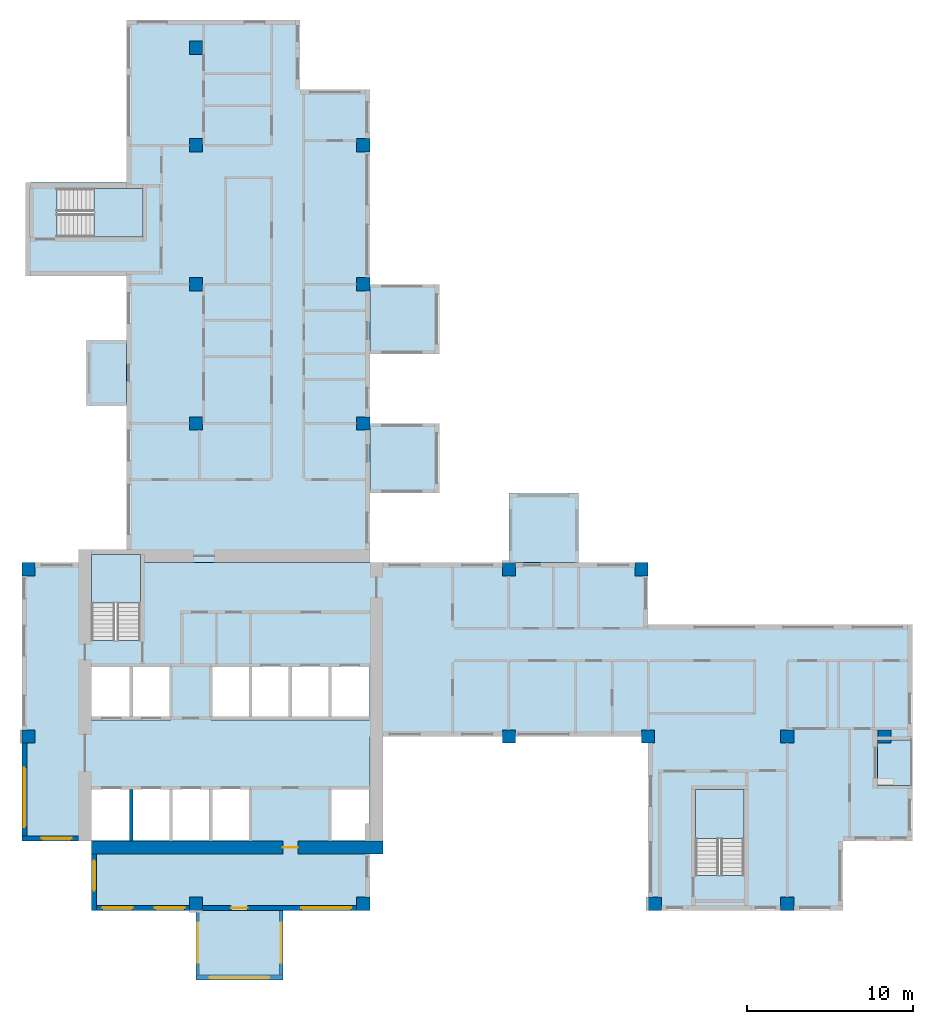
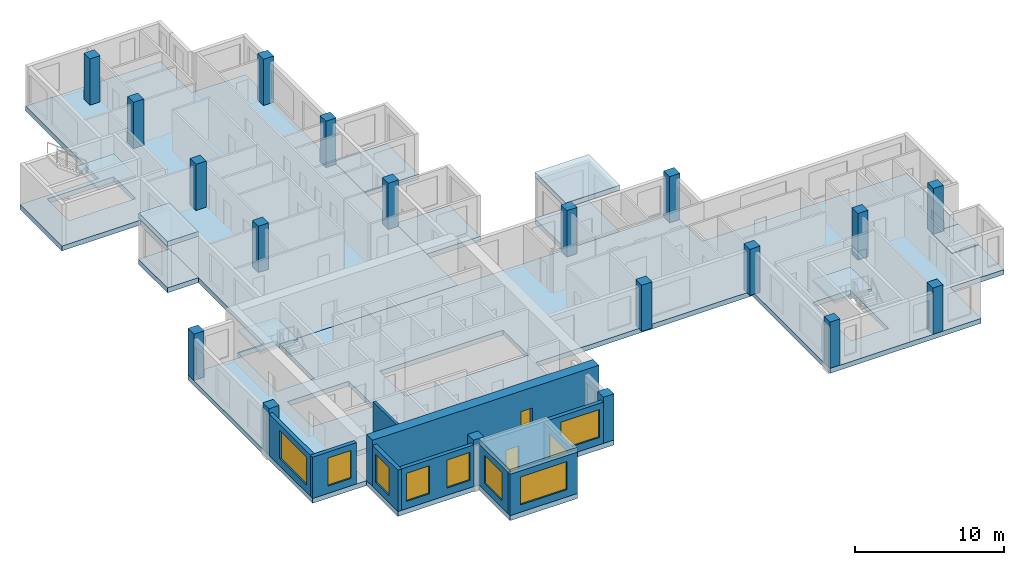
# One storey, part 1 of 11: 19 columns, 14 slabs, 10 walls, 9 windows, 2 doors, 11 openings, 3 elements without a shape of their own.
"""IFC4 building model written with IfcOpenShell, lengths in metres."""

from ifc_helpers import new_model, si_unit, direction, frame, frame_2d, origin, origin_2d, place, context, subcontext, project, spatial, polyline, rectangle, outline, extrude, source, transform, mapped, material, layer, layer_set, material_profile, profile_set, type_object, element, fill, aggregate, save


model = new_model("IFC4")

# Units and contexts
model_context = context("Model", 3, precision=1e-05, world=origin(), true_north=direction((0.0, 1.0)))
body_context = subcontext(model_context, "Body", "Model", "MODEL_VIEW")
ifc_project = project(units=[si_unit("LENGTHUNIT", "METRE"), si_unit("AREAUNIT", "SQUARE_METRE"), si_unit("VOLUMEUNIT", "CUBIC_METRE"), si_unit("PLANEANGLEUNIT", "RADIAN"), si_unit("MASSUNIT", "GRAM", prefix="KILO")], contexts=[model_context])

# Site, building, storey
site_placement = place(None, origin())
site = spatial("IfcSite", under=ifc_project, at=site_placement, CompositionType="ELEMENT")
building_placement = place(site_placement, origin())
building = spatial("IfcBuilding", under=site, at=building_placement, Name="Aurelian Terraces", CompositionType="ELEMENT")
storey_placement = place(building_placement, frame((0.0, 0.0, 257.6)))
storey = spatial("IfcBuildingStorey", under=building, at=storey_placement, Name="L59", CompositionType="ELEMENT", Elevation=257.6)

# Columns
ifc_material_1 = material(Name="Concrete fc' 70 MPa", Category="concrete")
ifc_material_profile = material_profile(ifc_material_1, rectangle(XDim=0.8, YDim=0.8, at=origin_2d()))
ifc_profile_set = profile_set([ifc_material_profile], Name="Concrete fc' 70 MPa")
column_type = type_object("IfcColumnType", Name="RC COLUMN 800X800 FC70", PredefinedType="COLUMN", material=ifc_profile_set)
shared_shape_1 = source(origin(), body_context, "Body", "SweptSolid", [
    extrude(rectangle(XDim=0.8, YDim=0.8, at=origin_2d()), origin(), (0.0, 0.0, 1.0), 3.8),
])
for number, where, z_axis, x_axis, name in (
    (1, (10.5, 0.4, 0.0), (0.0, 0.0, 1.0), (1.0, 0.0, 0.0), "Column 2/A L59"),
    (2, (20.6, 0.4, 0.0), (0.0, 0.0, 1.0), (1.0, 0.0, 0.0), "Column 3/A L59"),
    (3, (38.2, 0.4, 0.0), (0.0, 0.0, 1.0), (1.0, 0.0, 0.0), "Column 5/A L59"),
    (4, (46.2, 0.4, 0.0), (0.0, 0.0, 1.0), (1.0, 0.0, 0.0), "Column 6/A L59"),
    (5, (0.4, 10.5, 0.0), (0.0, 0.0, 1.0), (1.0, 0.0, 0.0), "Column 1/B L59"),
    (6, (29.4, 10.5, 0.0), (0.0, 0.0, 1.0), (1.0, 0.0, 0.0), "Column 4/B L59"),
    (7, (37.8, 10.5, 0.0), (0.0, 0.0, 1.0), (1.0, 0.0, 0.0), "Column 5/B L59"),
    (8, (46.2, 10.5, 0.0), (0.0, 0.0, 1.0), (1.0, 0.0, 0.0), "Column 6/B L59"),
    (9, (52.08, 10.5, 0.0), (0.0, 0.0, 1.0), (1.0, 0.0, 0.0), "Column 7/B L59"),
    (10, (0.4, 20.6, 0.0), (0.0, 0.0, 1.0), (1.0, 0.0, 0.0), "Column 1/C L59"),
    (11, (29.4, 20.6, 0.0), (0.0, 0.0, 1.0), (1.0, 0.0, 0.0), "Column 4/C L59"),
    (12, (37.4, 20.6, 0.0), (0.0, 0.0, 1.0), (1.0, 0.0, 0.0), "Column 5/C L59"),
    (13, (10.5, 29.4, 0.0), (0.0, 0.0, 1.0), (1.0, 0.0, 0.0), "Column 2/D L59"),
    (14, (20.6, 29.4, 0.0), (0.0, 0.0, 1.0), (1.0, 0.0, 0.0), "Column 3/D L59"),
    (15, (10.5, 37.8, 0.0), (0.0, 0.0, 1.0), (1.0, 0.0, 0.0), "Column 2/E L59"),
    (16, (20.6, 37.8, 0.0), (0.0, 0.0, 1.0), (1.0, 0.0, 0.0), "Column 3/E L59"),
    (17, (10.5, 46.2, 0.0), (0.0, 0.0, 1.0), (1.0, 0.0, 0.0), "Column 2/F L59"),
    (18, (20.6, 46.2, 0.0), (0.0, 0.0, 1.0), (1.0, 0.0, 0.0), "Column 3/F L59"),
    (19, (10.5, 52.08, 0.0), (0.0, 0.0, 1.0), (1.0, 0.0, 0.0), "Column 2/G L59"),
):
    element("IfcColumn", number, at=place(storey_placement, frame(where, z_axis=z_axis, x_axis=x_axis)), inside=storey, type_object=column_type, Name=name, PredefinedType="COLUMN", context=body_context, shape_type="MappedRepresentation", body=[
        mapped(shared_shape_1, transform((0.0, 0.0, 0.0), scale=1.0)),
    ])

# Slabs
ifc_material_2 = material(Name="Concrete fc' 40 MPa", Category="concrete")
ifc_layer_1 = layer(ifc_material_2, 0.4)
ifc_layer_set_1 = layer_set([ifc_layer_1], Name="PT FLAT PLATE 400")
slab_type_1 = type_object("IfcSlabType", Name="PT FLAT PLATE 400", PredefinedType="FLOOR", material=ifc_layer_set_1)
shared_shape_2 = source(origin(), body_context, "Body", "SweptSolid", [
    extrude(outline(polyline([(0.2, 43.95), (6.3, 43.95), (6.3, 49.56), (6.3, 53.76), (10.5, 53.76), (16.8, 53.76), (16.8, 49.56), (21.0, 49.56), (21.0, 21.0), (7.14, 21.0), (7.14, 21.49), (4.21, 21.49), (4.21, 21.0), (4.2, 21.0), (4.2, 21.6), (6.3, 21.6), (6.3, 38.3), (0.2, 38.3), (0.2, 43.95)]), holes=[polyline([(7.29, 43.59), (2.11, 43.59), (2.11, 40.66), (7.29, 40.66), (7.29, 43.59)])]), origin(), (0.0, 0.0, 1.0), 0.4),
])
slab_1_placement = place(storey_placement, frame((0.0, 0.0, -0.4)))
element("IfcSlab", 20, at=slab_1_placement, inside=storey, type_object=slab_type_1, Name="Floor slab W L59", PredefinedType="FLOOR", context=body_context, shape_type="MappedRepresentation", body=[
    mapped(shared_shape_2, transform((0.0, 0.0, 0.0), scale=1.0)),
])
shared_shape_3 = source(origin(), body_context, "Body", "SweptSolid", [
    extrude(outline(polyline([(49.56, 4.2), (49.56, 0.0), (37.8, 0.0), (37.8, 10.5), (21.0, 10.5), (21.0, 0.0), (4.2, 0.0), (4.2, 4.2), (0.0, 4.2), (0.0, 21.0), (4.21, 21.0), (4.21, 16.31), (7.14, 16.31), (7.14, 21.0), (21.0, 21.0), (37.8, 21.0), (37.8, 17.25), (49.56, 17.25), (53.76, 17.25), (53.76, 16.8), (53.76, 16.65), (53.76, 4.2), (49.56, 4.2)]), holes=[polyline([(40.66, 2.11), (43.59, 2.11), (43.59, 7.29), (40.66, 7.29), (40.66, 2.11)]), polyline([(18.61, 7.49), (18.61, 4.21), (20.99, 4.21), (20.99, 7.49), (18.61, 7.49)]), polyline([(20.99, 14.89), (11.41, 14.89), (11.41, 11.51), (20.99, 11.51), (20.99, 14.89)]), polyline([(4.21, 7.49), (4.21, 4.21), (13.79, 4.21), (13.79, 7.49), (4.21, 7.49)]), polyline([(4.21, 14.89), (4.21, 11.51), (8.99, 11.51), (8.99, 14.89), (4.21, 14.89)])]), origin(), (0.0, 0.0, 1.0), 0.4),
])
slab_2_placement = place(storey_placement, frame((0.0, 0.0, -0.4)))
element("IfcSlab", 21, at=slab_2_placement, inside=storey, type_object=slab_type_1, Name="Floor slab S L59", PredefinedType="FLOOR", context=body_context, shape_type="MappedRepresentation", body=[
    mapped(shared_shape_3, transform((0.0, 0.0, 0.0), scale=1.0)),
])
ifc_layer_2 = layer(ifc_material_2, 0.41)
ifc_layer_set_2 = layer_set([ifc_layer_2], Name="Box floor 410")
slab_type_2 = type_object("IfcSlabType", Name="Box floor 410", PredefinedType="NOTDEFINED", material=ifc_layer_set_2)
shared_shape_4 = source(origin(), body_context, "Body", "SweptSolid", [
    extrude(outline(polyline([(25.2, 25.2), (25.2, 29.4), (21.0, 29.4), (21.0, 25.2), (25.2, 25.2)])), origin(), (0.0, 0.0, 1.0), 0.41),
])
slab_3_placement = place(storey_placement, frame((0.0, 0.0, -0.41)))
element("IfcSlab", 22, at=slab_3_placement, inside=storey, type_object=slab_type_2, Name="Box floor L59 J86", PredefinedType="NOTDEFINED", context=body_context, shape_type="MappedRepresentation", body=[
    mapped(shared_shape_4, transform((0.0, 0.0, 0.0), scale=1.0)),
])
shared_shape_5 = source(origin(), body_context, "Body", "SweptSolid", [
    extrude(outline(polyline([(25.2, 33.6), (25.2, 37.8), (21.0, 37.8), (21.0, 33.6), (25.2, 33.6)])), origin(), (0.0, 0.0, 1.0), 0.41),
])
slab_4_placement = place(storey_placement, frame((0.0, 0.0, -0.41)))
element("IfcSlab", 23, at=slab_4_placement, inside=storey, type_object=slab_type_2, Name="Box floor L59 J87", PredefinedType="NOTDEFINED", context=body_context, shape_type="MappedRepresentation", body=[
    mapped(shared_shape_5, transform((0.0, 0.0, 0.0), scale=1.0)),
])
shared_shape_6 = source(origin(), body_context, "Body", "SweptSolid", [
    extrude(outline(polyline([(3.9, 34.4), (3.9, 30.5), (6.3, 30.5), (6.3, 34.4), (3.9, 34.4)])), origin(), (0.0, 0.0, 1.0), 0.41),
])
slab_5_placement = place(storey_placement, frame((0.0, 0.0, -0.41)))
element("IfcSlab", 24, at=slab_5_placement, inside=storey, type_object=slab_type_2, Name="Box floor L59 J85", PredefinedType="NOTDEFINED", context=body_context, shape_type="MappedRepresentation", body=[
    mapped(shared_shape_6, transform((0.0, 0.0, 0.0), scale=1.0)),
])
ifc_layer_3 = layer(ifc_material_2, 0.4)
ifc_layer_set_3 = layer_set([ifc_layer_3], Name="Box roof 400")
slab_type_3 = type_object("IfcSlabType", Name="Box roof 400", PredefinedType="ROOF", material=ifc_layer_set_3)
shared_shape_7 = source(origin(), body_context, "Body", "SweptSolid", [
    extrude(outline(polyline([(3.9, 34.4), (3.9, 30.5), (6.3, 30.5), (6.3, 34.4), (3.9, 34.4)])), origin(), (0.0, 0.0, 1.0), 0.4),
])
slab_6_placement = place(storey_placement, frame((0.0, 0.0, 3.4)))
element("IfcSlab", 25, at=slab_6_placement, inside=storey, type_object=slab_type_3, Name="Box roof J85", PredefinedType="ROOF", context=body_context, shape_type="MappedRepresentation", body=[
    mapped(shared_shape_7, transform((0.0, 0.0, 0.0), scale=1.0)),
])
shared_shape_8 = source(origin(), body_context, "Body", "SweptSolid", [
    extrude(outline(polyline([(33.6, 25.2), (29.4, 25.2), (29.4, 21.0), (33.6, 21.0), (33.6, 25.2)])), origin(), (0.0, 0.0, 1.0), 0.41),
])
slab_7_placement = place(storey_placement, frame((0.0, 0.0, -0.41)))
element("IfcSlab", 26, at=slab_7_placement, inside=storey, type_object=slab_type_2, Name="Box floor L59 J84", PredefinedType="NOTDEFINED", context=body_context, shape_type="MappedRepresentation", body=[
    mapped(shared_shape_8, transform((0.0, 0.0, 0.0), scale=1.0)),
])
shared_shape_9 = source(origin(), body_context, "Body", "SweptSolid", [
    extrude(outline(polyline([(10.5, -4.2), (15.75, -4.2), (15.75, 0.0), (10.5, 0.0), (10.5, -4.2)])), origin(), (0.0, 0.0, 1.0), 0.41),
])
slab_8_placement = place(storey_placement, frame((0.0, 0.0, -0.41)))
element("IfcSlab", 27, at=slab_8_placement, inside=storey, type_object=slab_type_2, Name="Box floor L59 J83", PredefinedType="NOTDEFINED", context=body_context, shape_type="MappedRepresentation", body=[
    mapped(shared_shape_9, transform((0.0, 0.0, 0.0), scale=1.0)),
])
shared_shape_10 = source(origin(), body_context, "Body", "SweptSolid", [
    extrude(outline(polyline([(33.6, 25.2), (29.4, 25.2), (29.4, 21.0), (33.6, 21.0), (33.6, 25.2)])), origin(), (0.0, 0.0, 1.0), 0.4),
])
slab_9_placement = place(storey_placement, frame((0.0, 0.0, 3.4)))
element("IfcSlab", 28, at=slab_9_placement, inside=storey, type_object=slab_type_3, Name="Box roof J84", PredefinedType="ROOF", context=body_context, shape_type="MappedRepresentation", body=[
    mapped(shared_shape_10, transform((0.0, 0.0, 0.0), scale=1.0)),
])
shared_shape_11 = source(origin(), body_context, "Body", "SweptSolid", [
    extrude(outline(polyline([(10.5, -4.2), (15.75, -4.2), (15.75, 0.0), (10.5, 0.0), (10.5, -4.2)])), origin(), (0.0, 0.0, 1.0), 0.4),
])
slab_10_placement = place(storey_placement, frame((0.0, 0.0, 3.4)))
element("IfcSlab", 29, at=slab_10_placement, inside=storey, type_object=slab_type_3, Name="Box roof J83", PredefinedType="ROOF", context=body_context, shape_type="MappedRepresentation", body=[
    mapped(shared_shape_11, transform((0.0, 0.0, 0.0), scale=1.0)),
])
ifc_material_3 = material(Name="Granite paving", Category="masonry")
ifc_layer_4 = layer(ifc_material_3, 0.05)
ifc_layer_set_4 = layer_set([ifc_layer_4], Name="Loggia paving 50")
slab_type_4 = type_object("IfcSlabType", Name="Loggia paving 50", PredefinedType="NOTDEFINED", material=ifc_layer_set_4)
shared_shape_12 = source(origin(), body_context, "Body", "SweptSolid", [
    extrude(outline(polyline([(53.76, 7.55), (53.76, 10.3), (51.66, 10.3), (51.66, 7.55), (53.76, 7.55)])), origin(), (0.0, 0.0, 1.0), 0.05),
])
slab_11_placement = place(storey_placement, origin())
element("IfcSlab", 30, at=slab_11_placement, inside=storey, type_object=slab_type_4, Name="Loggia floor L59 F08.14", PredefinedType="NOTDEFINED", context=body_context, shape_type="MappedRepresentation", body=[
    mapped(shared_shape_12, transform((0.0, 0.0, 0.0), scale=1.0)),
])

# Stair, slab
stair_type = type_object("IfcStairType", Name="Stair 1400", PredefinedType="HALF_TURN_STAIR", material=ifc_material_2)
stair_1_placement = place(storey_placement, origin())
stair_1 = element("IfcStair", 31, at=stair_1_placement, inside=storey, type_object=stair_type, Name="L59 S1", PredefinedType="HALF_TURN_STAIR")
ifc_layer_5 = layer(ifc_material_2, 0.2)
ifc_layer_set_5 = layer_set([ifc_layer_5], Name="Stair landing 200")
slab_type_5 = type_object("IfcSlabType", Name="Stair landing 200", PredefinedType="LANDING", material=ifc_layer_set_5)
shared_shape_13 = source(origin(), body_context, "Body", "SweptSolid", [
    extrude(outline(polyline([(7.15, 18.55), (7.15, 21.5), (4.2, 21.5), (4.2, 18.55), (7.15, 18.55)])), origin(), (0.0, 0.0, 1.0), 0.2),
])
slab_12_placement = place(storey_placement, frame((0.0, 0.0, 1.7)))
slab_12 = element("IfcSlab", 32, at=slab_12_placement, type_object=slab_type_5, Name="S1 landing 1", PredefinedType="LANDING", context=body_context, shape_type="MappedRepresentation", body=[
    mapped(shared_shape_13, transform((0.0, 0.0, 0.0), scale=1.0)),
])
aggregate(stair_1, [slab_12])

stair_2_placement = place(storey_placement, origin())
stair_2 = element("IfcStair", 33, at=stair_2_placement, inside=storey, type_object=stair_type, Name="L59 S2", PredefinedType="HALF_TURN_STAIR")
shared_shape_14 = source(origin(), body_context, "Body", "SweptSolid", [
    extrude(outline(polyline([(43.6, 4.35), (43.6, 7.3), (40.65, 7.3), (40.65, 4.35), (43.6, 4.35)])), origin(), (0.0, 0.0, 1.0), 0.2),
])
slab_13_placement = place(storey_placement, frame((0.0, 0.0, 1.7)))
slab_13 = element("IfcSlab", 34, at=slab_13_placement, type_object=slab_type_5, Name="S2 landing 1", PredefinedType="LANDING", context=body_context, shape_type="MappedRepresentation", body=[
    mapped(shared_shape_14, transform((0.0, 0.0, 0.0), scale=1.0)),
])
aggregate(stair_2, [slab_13])

stair_3_placement = place(storey_placement, origin())
stair_3 = element("IfcStair", 35, at=stair_3_placement, inside=storey, type_object=stair_type, Name="L59 S3", PredefinedType="HALF_TURN_STAIR")
shared_shape_15 = source(origin(), body_context, "Body", "SweptSolid", [
    extrude(outline(polyline([(4.35, 40.65), (7.3, 40.65), (7.3, 43.6), (4.35, 43.6), (4.35, 40.65)])), origin(), (0.0, 0.0, 1.0), 0.2),
])
slab_14_placement = place(storey_placement, frame((0.0, 0.0, 1.7)))
slab_14 = element("IfcSlab", 36, at=slab_14_placement, type_object=slab_type_5, Name="S3 landing 1", PredefinedType="LANDING", context=body_context, shape_type="MappedRepresentation", body=[
    mapped(shared_shape_15, transform((0.0, 0.0, 0.0), scale=1.0)),
])
aggregate(stair_3, [slab_14])

# Wall, opening, door
ifc_layer_6 = layer(ifc_material_1, 0.8)
ifc_layer_set_6 = layer_set([ifc_layer_6], Name="CORE WALL 800 FC70")
wall_type_1 = type_object("IfcWallType", Name="CORE WALL 800 FC70", PredefinedType="SHEAR", material=ifc_layer_set_6)
shared_shape_16 = source(origin(), body_context, "Body", "SweptSolid", [
    extrude(rectangle(XDim=17.6, YDim=0.8, at=frame_2d((8.8, 0.0))), origin(), (0.0, 0.0, 1.0), 3.8),
])
wall_1_placement = place(storey_placement, frame((4.2, 3.8, 0.0), z_axis=(0.0, 0.0, 1.0), x_axis=(1.0, 0.0, 0.0)))
wall_1 = element("IfcWall", 37, at=wall_1_placement, inside=storey, type_object=wall_type_1, Name="Core wall S L59", PredefinedType="SHEAR", context=body_context, shape_type="MappedRepresentation", body=[
    mapped(shared_shape_16, transform((0.0, 0.0, 0.0), scale=1.0)),
])
shared_shape_17 = source(origin(), body_context, "Body", "SweptSolid", [
    extrude(rectangle(XDim=0.9, YDim=2.1, at=frame_2d((0.45, 1.05))), frame((0.0, 0.41, 0.0), z_axis=(0.0, -1.0, 0.0), x_axis=(1.0, 0.0, 0.0)), (0.0, 0.0, 1.0), 0.82),
])
opening_1_placement = place(wall_1_placement, frame((11.55, 0.0, 0.0)))
opening_1 = element("IfcOpeningElement", 38, at=opening_1_placement, cuts=wall_1, Name="Opening 66224", PredefinedType="OPENING", context=body_context, shape_type="MappedRepresentation", body=[
    mapped(shared_shape_17, transform((0.0, 0.0, 0.0), scale=1.0)),
])
ifc_material_4 = material(Name="Steel door leaf", Category="steel")
door_type_1 = type_object("IfcDoorType", Name="Core service door 900x2100 right", OperationType="SINGLE_SWING_RIGHT", PredefinedType="DOOR", material=ifc_material_4)
shared_shape_18 = source(origin(), body_context, "Body", "SweptSolid", [
    extrude(rectangle(XDim=0.9, YDim=2.1, at=frame_2d((0.45, 1.05))), frame((0.0, 0.025, 0.0), z_axis=(0.0, -1.0, 0.0), x_axis=(1.0, 0.0, 0.0)), (0.0, 0.0, 1.0), 0.05),
])
door_1_placement = place(opening_1_placement, origin())
door_1 = element("IfcDoor", 39, at=door_1_placement, inside=storey, type_object=door_type_1, Name="Core door 66224", OperationType="SINGLE_SWING_RIGHT", OverallHeight=2.1, OverallWidth=0.9, PredefinedType="DOOR", context=body_context, shape_type="MappedRepresentation", body=[
    mapped(shared_shape_18, transform((0.0, 0.0, 0.0), scale=1.0)),
])
fill(opening_1, door_1)

# Wall, opening, window
ifc_material_5 = material(Name="Terracotta rainscreen cladding", Category="masonry")
ifc_layer_7 = layer(ifc_material_5, 0.3)
ifc_layer_set_7 = layer_set([ifc_layer_7], Name="EW-300")
wall_type_2 = type_object("IfcWallType", Name="EW-300", PredefinedType="STANDARD", material=ifc_layer_set_7)
shared_shape_19 = source(origin(), body_context, "Body", "SweptSolid", [
    extrude(rectangle(XDim=3.4, YDim=0.3, at=frame_2d((1.7, 0.0))), origin(), (0.0, 0.0, 1.0), 3.4),
])
wall_2_placement = place(storey_placement, frame((0.0, 4.35, 0.0), z_axis=(0.0, 0.0, 1.0), x_axis=(1.0, 0.0, 0.0)))
wall_2 = element("IfcWall", 40, at=wall_2_placement, inside=storey, type_object=wall_type_2, Name="External wall L59 F25.37", PredefinedType="STANDARD", context=body_context, shape_type="MappedRepresentation", body=[
    mapped(shared_shape_19, transform((0.0, 0.0, 0.0), scale=1.0)),
])
shared_shape_20 = source(origin(), body_context, "Body", "SweptSolid", [
    extrude(rectangle(XDim=1.8, YDim=2.3, at=frame_2d((0.9, 1.15))), frame((0.0, 0.16, 0.0), z_axis=(0.0, -1.0, 0.0), x_axis=(1.0, 0.0, 0.0)), (0.0, 0.0, 1.0), 0.32),
])
opening_2_placement = place(wall_2_placement, frame((1.2, 0.0, 0.6)))
opening_2 = element("IfcOpeningElement", 41, at=opening_2_placement, cuts=wall_2, Name="Opening W1823", PredefinedType="OPENING", context=body_context, shape_type="MappedRepresentation", body=[
    mapped(shared_shape_20, transform((0.0, 0.0, 0.0), scale=1.0)),
])
ifc_material_6 = material(Name="Clear glazing", Category="glass")
window_type_1 = type_object("IfcWindowType", Name="W-1800x2300", PartitioningType="SINGLE_PANEL", PredefinedType="WINDOW", material=ifc_material_6)
shared_shape_21 = source(origin(), body_context, "Body", "SweptSolid", [
    extrude(rectangle(XDim=1.8, YDim=2.3, at=frame_2d((0.9, 1.15))), frame((0.0, 0.03, 0.0), z_axis=(0.0, -1.0, 0.0), x_axis=(1.0, 0.0, 0.0)), (0.0, 0.0, 1.0), 0.06),
])
window_1_placement = place(opening_2_placement, origin())
window_1 = element("IfcWindow", 42, at=window_1_placement, inside=storey, type_object=window_type_1, Name="Window L59 L59-F25-37-0", OverallHeight=2.3, OverallWidth=1.8, PartitioningType="SINGLE_PANEL", PredefinedType="WINDOW", context=body_context, shape_type="MappedRepresentation", body=[
    mapped(shared_shape_21, transform((0.0, 0.0, 0.0), scale=1.0)),
])
fill(opening_2, window_1)

wall_3_placement = place(storey_placement, frame((4.35, 3.4, 0.0), z_axis=(0.0, 0.0, 1.0), x_axis=(0.0, -1.0, 0.0)))
wall_3 = element("IfcWall", 43, at=wall_3_placement, inside=storey, type_object=wall_type_2, Name="External wall L59 F26.38", PredefinedType="STANDARD", context=body_context, shape_type="MappedRepresentation", body=[
    mapped(shared_shape_19, transform((0.0, 0.0, 0.0), scale=1.0)),
])
opening_3_placement = place(wall_3_placement, frame((0.4, 0.0, 0.6)))
opening_3 = element("IfcOpeningElement", 44, at=opening_3_placement, cuts=wall_3, Name="Opening W1823", PredefinedType="OPENING", context=body_context, shape_type="MappedRepresentation", body=[
    mapped(shared_shape_20, transform((0.0, 0.0, 0.0), scale=1.0)),
])
window_2_placement = place(opening_3_placement, origin())
window_2 = element("IfcWindow", 45, at=window_2_placement, inside=storey, type_object=window_type_1, Name="Window L59 L59-F26-38-0", OverallHeight=2.3, OverallWidth=1.8, PartitioningType="SINGLE_PANEL", PredefinedType="WINDOW", context=body_context, shape_type="MappedRepresentation", body=[
    mapped(shared_shape_21, transform((0.0, 0.0, 0.0), scale=1.0)),
])
fill(opening_3, window_2)

ifc_layer_8 = layer(ifc_material_2, 0.2)
ifc_layer_set_8 = layer_set([ifc_layer_8], Name="BOX BEARING WALL 200")
wall_type_3 = type_object("IfcWallType", Name="BOX BEARING WALL 200", PredefinedType="SOLIDWALL", material=ifc_layer_set_8)
shared_shape_22 = source(origin(), body_context, "Body", "SweptSolid", [
    extrude(rectangle(XDim=3.9, YDim=0.2, at=frame_2d((1.95, 0.0))), origin(), (0.0, 0.0, 1.0), 3.4),
])
wall_4_placement = place(storey_placement, frame((10.6, 0.0, 0.0), z_axis=(0.0, 0.0, 1.0), x_axis=(0.0, -1.0, 0.0)))
wall_4 = element("IfcWall", 46, at=wall_4_placement, inside=storey, type_object=wall_type_3, Name="Box return L59 J83.1", PredefinedType="SOLIDWALL", context=body_context, shape_type="MappedRepresentation", body=[
    mapped(shared_shape_22, transform((0.0, 0.0, 0.0), scale=1.0)),
])
shared_shape_23 = source(origin(), body_context, "Body", "SweptSolid", [
    extrude(rectangle(XDim=2.4, YDim=2.3, at=frame_2d((1.2, 1.15))), frame((0.0, 0.11, 0.0), z_axis=(0.0, -1.0, 0.0), x_axis=(1.0, 0.0, 0.0)), (0.0, 0.0, 1.0), 0.22),
])
opening_4_placement = place(wall_4_placement, frame((0.75, 0.0, 0.6)))
opening_4 = element("IfcOpeningElement", 47, at=opening_4_placement, cuts=wall_4, Name="Opening W2423", PredefinedType="OPENING", context=body_context, shape_type="MappedRepresentation", body=[
    mapped(shared_shape_23, transform((0.0, 0.0, 0.0), scale=1.0)),
])
window_type_2 = type_object("IfcWindowType", Name="W-2400x2300", PartitioningType="SINGLE_PANEL", PredefinedType="WINDOW", material=ifc_material_6)
shared_shape_24 = source(origin(), body_context, "Body", "SweptSolid", [
    extrude(rectangle(XDim=2.4, YDim=2.3, at=frame_2d((1.2, 1.15))), frame((0.0, 0.03, 0.0), z_axis=(0.0, -1.0, 0.0), x_axis=(1.0, 0.0, 0.0)), (0.0, 0.0, 1.0), 0.06),
])
window_3_placement = place(opening_4_placement, origin())
window_3 = element("IfcWindow", 48, at=window_3_placement, inside=storey, type_object=window_type_2, Name="Window L59 J83-S1", OverallHeight=2.3, OverallWidth=2.4, PartitioningType="SINGLE_PANEL", PredefinedType="WINDOW", context=body_context, shape_type="MappedRepresentation", body=[
    mapped(shared_shape_24, transform((0.0, 0.0, 0.0), scale=1.0)),
])
fill(opening_4, window_3)

wall_5_placement = place(storey_placement, frame((15.65, 0.0, 0.0), z_axis=(0.0, 0.0, 1.0), x_axis=(0.0, -1.0, 0.0)))
wall_5 = element("IfcWall", 49, at=wall_5_placement, inside=storey, type_object=wall_type_3, Name="Box return L59 J83.2", PredefinedType="SOLIDWALL", context=body_context, shape_type="MappedRepresentation", body=[
    mapped(shared_shape_22, transform((0.0, 0.0, 0.0), scale=1.0)),
])
opening_5_placement = place(wall_5_placement, frame((0.75, 0.0, 0.6)))
opening_5 = element("IfcOpeningElement", 50, at=opening_5_placement, cuts=wall_5, Name="Opening W2423", PredefinedType="OPENING", context=body_context, shape_type="MappedRepresentation", body=[
    mapped(shared_shape_23, transform((0.0, 0.0, 0.0), scale=1.0)),
])
window_4_placement = place(opening_5_placement, origin())
window_4 = element("IfcWindow", 51, at=window_4_placement, inside=storey, type_object=window_type_2, Name="Window L59 J83-S2", OverallHeight=2.3, OverallWidth=2.4, PartitioningType="SINGLE_PANEL", PredefinedType="WINDOW", context=body_context, shape_type="MappedRepresentation", body=[
    mapped(shared_shape_24, transform((0.0, 0.0, 0.0), scale=1.0)),
])
fill(opening_5, window_4)

ifc_layer_9 = layer(ifc_material_2, 0.3)
ifc_layer_set_9 = layer_set([ifc_layer_9], Name="BOX BEARING WALL 300")
wall_type_4 = type_object("IfcWallType", Name="BOX BEARING WALL 300", PredefinedType="SOLIDWALL", material=ifc_layer_set_9)
shared_shape_25 = source(origin(), body_context, "Body", "SweptSolid", [
    extrude(rectangle(XDim=5.25, YDim=0.3, at=frame_2d((2.625, 0.0))), origin(), (0.0, 0.0, 1.0), 3.4),
])
wall_6_placement = place(storey_placement, frame((10.5, -4.05, 0.0), z_axis=(0.0, 0.0, 1.0), x_axis=(1.0, 0.0, 0.0)))
wall_6 = element("IfcWall", 52, at=wall_6_placement, inside=storey, type_object=wall_type_4, Name="Box wall L59 J83", PredefinedType="SOLIDWALL", context=body_context, shape_type="MappedRepresentation", body=[
    mapped(shared_shape_25, transform((0.0, 0.0, 0.0), scale=1.0)),
])
shared_shape_26 = source(origin(), body_context, "Body", "SweptSolid", [
    extrude(rectangle(XDim=3.6, YDim=2.3, at=frame_2d((1.8, 1.15))), frame((0.0, 0.16, 0.0), z_axis=(0.0, -1.0, 0.0), x_axis=(1.0, 0.0, 0.0)), (0.0, 0.0, 1.0), 0.32),
])
opening_6_placement = place(wall_6_placement, frame((0.825, 0.0, 0.6)))
opening_6 = element("IfcOpeningElement", 53, at=opening_6_placement, cuts=wall_6, Name="Opening W3623", PredefinedType="OPENING", context=body_context, shape_type="MappedRepresentation", body=[
    mapped(shared_shape_26, transform((0.0, 0.0, 0.0), scale=1.0)),
])
window_type_3 = type_object("IfcWindowType", Name="W-3600x2300", PartitioningType="SINGLE_PANEL", PredefinedType="WINDOW", material=ifc_material_6)
shared_shape_27 = source(origin(), body_context, "Body", "SweptSolid", [
    extrude(rectangle(XDim=3.6, YDim=2.3, at=frame_2d((1.8, 1.15))), frame((0.0, 0.03, 0.0), z_axis=(0.0, -1.0, 0.0), x_axis=(1.0, 0.0, 0.0)), (0.0, 0.0, 1.0), 0.06),
])
window_5_placement = place(opening_6_placement, origin())
window_5 = element("IfcWindow", 54, at=window_5_placement, inside=storey, type_object=window_type_3, Name="Window L59 J83-F1", OverallHeight=2.3, OverallWidth=3.6, PartitioningType="SINGLE_PANEL", PredefinedType="WINDOW", context=body_context, shape_type="MappedRepresentation", body=[
    mapped(shared_shape_27, transform((0.0, 0.0, 0.0), scale=1.0)),
])
fill(opening_6, window_5)

# Wall, openings, windows
shared_shape_28 = source(origin(), body_context, "Body", "SweptSolid", [
    extrude(rectangle(XDim=5.9, YDim=0.3, at=frame_2d((2.95, 0.0))), origin(), (0.0, 0.0, 1.0), 3.4),
])
wall_7_placement = place(storey_placement, frame((4.2, 0.15, 0.0), z_axis=(0.0, 0.0, 1.0), x_axis=(1.0, 0.0, 0.0)))
wall_7 = element("IfcWall", 55, at=wall_7_placement, inside=storey, type_object=wall_type_2, Name="External wall L59 F01.1", PredefinedType="STANDARD", context=body_context, shape_type="MappedRepresentation", body=[
    mapped(shared_shape_28, transform((0.0, 0.0, 0.0), scale=1.0)),
])
opening_7_placement = place(wall_7_placement, frame((0.675, 0.0, 0.6)))
opening_7 = element("IfcOpeningElement", 56, at=opening_7_placement, cuts=wall_7, Name="Opening W1823", PredefinedType="OPENING", context=body_context, shape_type="MappedRepresentation", body=[
    mapped(shared_shape_20, transform((0.0, 0.0, 0.0), scale=1.0)),
])
opening_8_placement = place(wall_7_placement, frame((3.825, 0.0, 0.6)))
opening_8 = element("IfcOpeningElement", 57, at=opening_8_placement, cuts=wall_7, Name="Opening W1823", PredefinedType="OPENING", context=body_context, shape_type="MappedRepresentation", body=[
    mapped(shared_shape_20, transform((0.0, 0.0, 0.0), scale=1.0)),
])
window_6_placement = place(opening_7_placement, origin())
window_6 = element("IfcWindow", 58, at=window_6_placement, inside=storey, type_object=window_type_1, Name="Window L59 L59-F01-01-0", OverallHeight=2.3, OverallWidth=1.8, PartitioningType="SINGLE_PANEL", PredefinedType="WINDOW", context=body_context, shape_type="MappedRepresentation", body=[
    mapped(shared_shape_21, transform((0.0, 0.0, 0.0), scale=1.0)),
])
fill(opening_7, window_6)
window_7_placement = place(opening_8_placement, origin())
window_7 = element("IfcWindow", 59, at=window_7_placement, inside=storey, type_object=window_type_1, Name="Window L59 L59-F01-01-1", OverallHeight=2.3, OverallWidth=1.8, PartitioningType="SINGLE_PANEL", PredefinedType="WINDOW", context=body_context, shape_type="MappedRepresentation", body=[
    mapped(shared_shape_21, transform((0.0, 0.0, 0.0), scale=1.0)),
])
fill(opening_8, window_7)

# Wall, opening, window
wall_8_placement = place(storey_placement, frame((0.15, 10.1, 0.0), z_axis=(0.0, 0.0, 1.0), x_axis=(0.0, -1.0, 0.0)))
wall_8 = element("IfcWall", 60, at=wall_8_placement, inside=storey, type_object=wall_type_2, Name="External wall L59 F24.36", PredefinedType="STANDARD", context=body_context, shape_type="MappedRepresentation", body=[
    mapped(shared_shape_28, transform((0.0, 0.0, 0.0), scale=1.0)),
])
opening_9_placement = place(wall_8_placement, frame((1.475, 0.0, 0.6)))
opening_9 = element("IfcOpeningElement", 61, at=opening_9_placement, cuts=wall_8, Name="Opening W3623", PredefinedType="OPENING", context=body_context, shape_type="MappedRepresentation", body=[
    mapped(shared_shape_26, transform((0.0, 0.0, 0.0), scale=1.0)),
])
window_8_placement = place(opening_9_placement, origin())
window_8 = element("IfcWindow", 62, at=window_8_placement, inside=storey, type_object=window_type_3, Name="Window L59 L59-F24-36-3", OverallHeight=2.3, OverallWidth=3.6, PartitioningType="SINGLE_PANEL", PredefinedType="WINDOW", context=body_context, shape_type="MappedRepresentation", body=[
    mapped(shared_shape_27, transform((0.0, 0.0, 0.0), scale=1.0)),
])
fill(opening_9, window_8)

# Wall, openings, window, door
shared_shape_29 = source(origin(), body_context, "Body", "SweptSolid", [
    extrude(rectangle(XDim=9.3, YDim=0.3, at=frame_2d((4.65, 0.0))), origin(), (0.0, 0.0, 1.0), 3.4),
])
wall_9_placement = place(storey_placement, frame((10.9, 0.15, 0.0), z_axis=(0.0, 0.0, 1.0), x_axis=(1.0, 0.0, 0.0)))
wall_9 = element("IfcWall", 63, at=wall_9_placement, inside=storey, type_object=wall_type_2, Name="External wall L59 F01.2", PredefinedType="STANDARD", context=body_context, shape_type="MappedRepresentation", body=[
    mapped(shared_shape_29, transform((0.0, 0.0, 0.0), scale=1.0)),
])
shared_shape_30 = source(origin(), body_context, "Body", "SweptSolid", [
    extrude(rectangle(XDim=3.0, YDim=2.3, at=frame_2d((1.5, 1.15))), frame((0.0, 0.16, 0.0), z_axis=(0.0, -1.0, 0.0), x_axis=(1.0, 0.0, 0.0)), (0.0, 0.0, 1.0), 0.32),
])
opening_10_placement = place(wall_9_placement, frame((5.975, 0.0, 0.6)))
opening_10 = element("IfcOpeningElement", 64, at=opening_10_placement, cuts=wall_9, Name="Opening W3023", PredefinedType="OPENING", context=body_context, shape_type="MappedRepresentation", body=[
    mapped(shared_shape_30, transform((0.0, 0.0, 0.0), scale=1.0)),
])
shared_shape_31 = source(origin(), body_context, "Body", "SweptSolid", [
    extrude(rectangle(XDim=1.0, YDim=2.1, at=frame_2d((0.5, 1.05))), frame((0.0, 0.16, 0.0), z_axis=(0.0, -1.0, 0.0), x_axis=(1.0, 0.0, 0.0)), (0.0, 0.0, 1.0), 0.32),
])
opening_11_placement = place(wall_9_placement, frame((1.725, 0.0, 0.0)))
opening_11 = element("IfcOpeningElement", 65, at=opening_11_placement, cuts=wall_9, Name="Opening 859001", PredefinedType="OPENING", context=body_context, shape_type="MappedRepresentation", body=[
    mapped(shared_shape_31, transform((0.0, 0.0, 0.0), scale=1.0)),
])
window_type_4 = type_object("IfcWindowType", Name="W-3000x2300", PartitioningType="SINGLE_PANEL", PredefinedType="WINDOW", material=ifc_material_6)
shared_shape_32 = source(origin(), body_context, "Body", "SweptSolid", [
    extrude(rectangle(XDim=3.0, YDim=2.3, at=frame_2d((1.5, 1.15))), frame((0.0, 0.03, 0.0), z_axis=(0.0, -1.0, 0.0), x_axis=(1.0, 0.0, 0.0)), (0.0, 0.0, 1.0), 0.06),
])
window_9_placement = place(opening_10_placement, origin())
window_9 = element("IfcWindow", 66, at=window_9_placement, inside=storey, type_object=window_type_4, Name="Window L59 L59-F01-02-1", OverallHeight=2.3, OverallWidth=3.0, PartitioningType="SINGLE_PANEL", PredefinedType="WINDOW", context=body_context, shape_type="MappedRepresentation", body=[
    mapped(shared_shape_32, transform((0.0, 0.0, 0.0), scale=1.0)),
])
fill(opening_10, window_9)
ifc_material_7 = material(Name="Timber door leaf", Category="wood")
door_type_2 = type_object("IfcDoorType", Name="Room door 1000x2100 left", OperationType="SINGLE_SWING_LEFT", PredefinedType="DOOR", material=ifc_material_7)
shared_shape_33 = source(origin(), body_context, "Body", "SweptSolid", [
    extrude(rectangle(XDim=1.0, YDim=2.1, at=frame_2d((0.5, 1.05))), frame((0.0, 0.025, 0.0), z_axis=(0.0, -1.0, 0.0), x_axis=(1.0, 0.0, 0.0)), (0.0, 0.0, 1.0), 0.05),
])
door_2_placement = place(opening_11_placement, origin())
door_2 = element("IfcDoor", 67, at=door_2_placement, inside=storey, type_object=door_type_2, Name="Door 859001", OperationType="SINGLE_SWING_LEFT", OverallHeight=2.1, OverallWidth=1.0, PredefinedType="DOOR", context=body_context, shape_type="MappedRepresentation", body=[
    mapped(shared_shape_33, transform((0.0, 0.0, 0.0), scale=1.0)),
])
fill(opening_11, door_2)

# Wall
ifc_layer_10 = layer(ifc_material_2, 0.2)
ifc_layer_set_10 = layer_set([ifc_layer_10], Name="Lift shaft wall 200")
wall_type_5 = type_object("IfcWallType", Name="Lift shaft wall 200", PredefinedType="SOLIDWALL", material=ifc_layer_set_10)
shared_shape_34 = source(origin(), body_context, "Body", "SweptSolid", [
    extrude(rectangle(XDim=3.1, YDim=0.2, at=frame_2d((1.55, 0.0))), origin(), (0.0, 0.0, 1.0), 3.8),
])
wall_10_placement = place(storey_placement, frame((6.6, 4.2, 0.0), z_axis=(0.0, 0.0, 1.0), x_axis=(0.0, 1.0, 0.0)))
element("IfcWall", 68, at=wall_10_placement, inside=storey, type_object=wall_type_5, Name="L59 core wall CD-A1", PredefinedType="SOLIDWALL", context=body_context, shape_type="MappedRepresentation", body=[
    mapped(shared_shape_34, transform((0.0, 0.0, 0.0), scale=1.0)),
])

save(model, "model.ifc")
